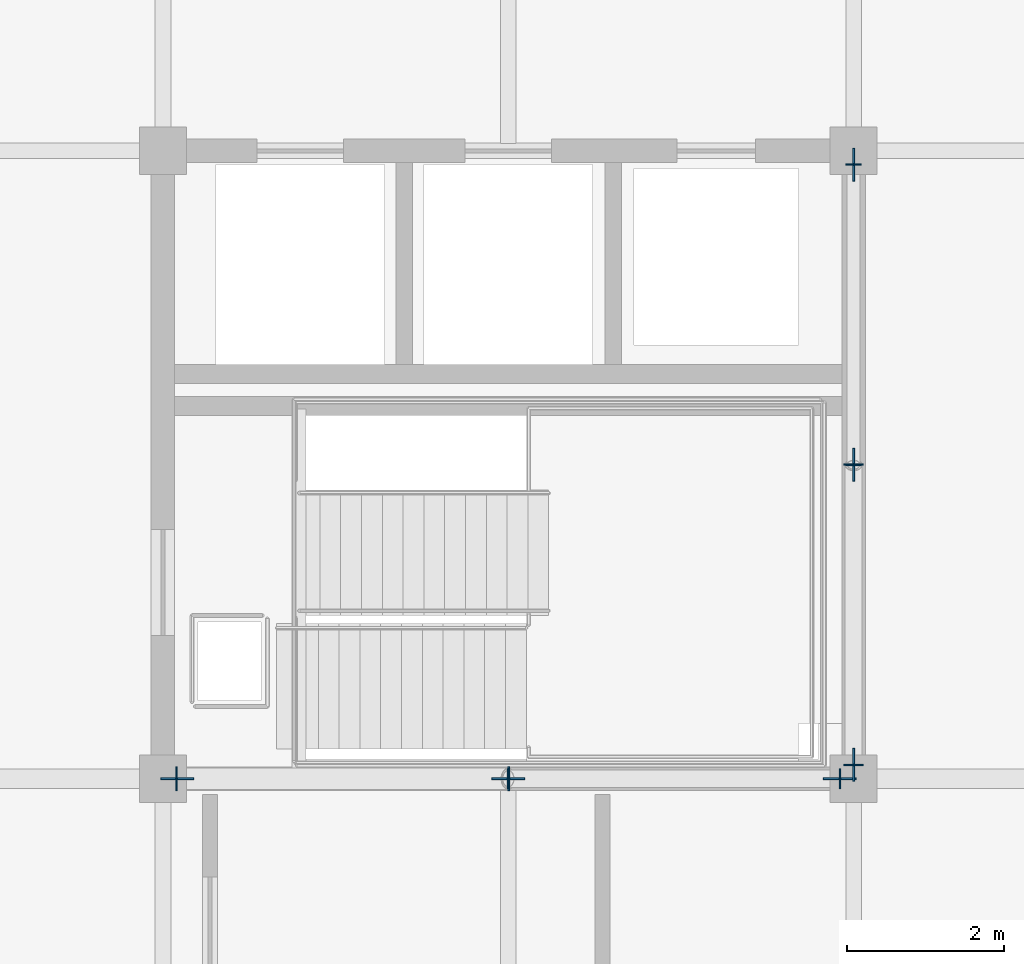
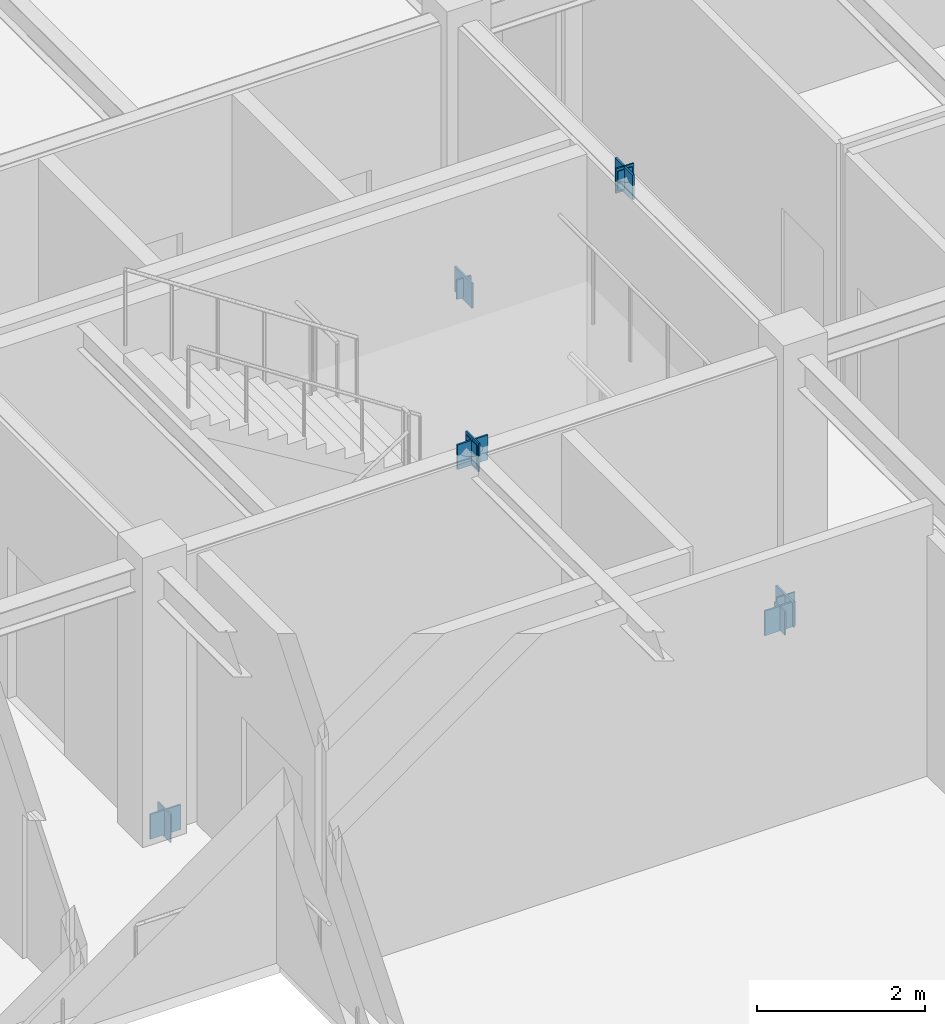
# One storey, part 3 of 13: 14 plates.
"""IFC4 building model written with IfcOpenShell, lengths in metres."""

from ifc_helpers import new_model, si_unit, direction, frame, origin, origin_2d, place, context, subcontext, project, spatial, rectangle, extrude, material, layer, layer_set, type_object, element, save


model = new_model("IFC4")

# Units and contexts
model_context = context("Model", 3, precision=1e-05, world=origin(), true_north=direction((0.0, 1.0)))
body_context = subcontext(model_context, "Body", "Model", "MODEL_VIEW")
ifc_project = project(units=[si_unit("LENGTHUNIT", "METRE"), si_unit("AREAUNIT", "SQUARE_METRE"), si_unit("VOLUMEUNIT", "CUBIC_METRE"), si_unit("PLANEANGLEUNIT", "RADIAN"), si_unit("MASSUNIT", "GRAM", prefix="KILO")], contexts=[model_context])

# Site, building, storey
site_placement = place(None, origin())
site = spatial("IfcSite", under=ifc_project, at=site_placement, CompositionType="ELEMENT")
building_placement = place(site_placement, origin())
building = spatial("IfcBuilding", under=site, at=building_placement, Name="Zhaolan Boulevard Law Courts", CompositionType="ELEMENT")
storey_placement = place(building_placement, frame((0.0, 0.0, 37.199951171875)))
storey = spatial("IfcBuildingStorey", under=building, at=storey_placement, Name="L08", CompositionType="ELEMENT", Elevation=37.199951171875)

# Plates
ifc_material_1 = material(Name="Structural steel Q355B", Category="steel")
ifc_layer_1 = layer(ifc_material_1, 0.02392578125)
ifc_layer_set_1 = layer_set([ifc_layer_1])
plate_type_1 = type_object("IfcPlateType", Name="BRACE GUSSET PLATE 24", PredefinedType="SHEET", material=ifc_layer_set_1)
for number, where, z_axis, x_axis, name in (
    (1, (17.780029296875, 46.0, -0.14990234375), (0.0, 0.0, 1.0), (1.0, 0.0, 0.0), "Brace Gusset Connection Plate GP-W1-L08-SA1"),
    (2, (26.219970703125, 46.0, -0.14990234375), (0.0, 0.0, 1.0), (1.0, 0.0, 0.0), "Brace Gusset Connection Plate GP-W1-L08-SA2"),
    (3, (22.0, 46.0, 3.740234375), (0.0, 0.0, 1.0), (1.0, 0.0, 0.0), "Brace Gusset Connection Plate GP-W1-L08-SAPX"),
    (4, (26.39990234375, 46.179931640625, -0.14990234375), (0.0, 0.0, 1.0), (0.0, 1.0, 0.0), "Brace Gusset Connection Plate GP-W1-L08-EA1"),
    (5, (26.39990234375, 53.820068359375, -0.14990234375), (0.0, 0.0, 1.0), (0.0, 1.0, 0.0), "Brace Gusset Connection Plate GP-W1-L08-EA2"),
    (6, (26.39990234375, 50.0, 3.740234375), (0.0, 0.0, 1.0), (0.0, 1.0, 0.0), "Brace Gusset Connection Plate GP-W1-L08-EAPX"),
):
    element("IfcPlate", number, at=place(storey_placement, frame(where, z_axis=z_axis, x_axis=x_axis)), inside=storey, type_object=plate_type_1, Name=name, PredefinedType="SHEET", context=body_context, shape_type="SweptSolid", body=[
        extrude(rectangle(XDim=0.419921875, YDim=0.02392578125, at=origin_2d()), origin(), (0.0, 0.0, 1.0), 0.360107421875),
    ])
ifc_material_2 = material(Name="Structural steel Q355B", Category="steel")
ifc_layer_2 = layer(ifc_material_2, 0.02001953125)
ifc_layer_set_2 = layer_set([ifc_layer_2])
plate_type_2 = type_object("IfcPlateType", Name="END CAP PLATE 20", PredefinedType="SHEET", material=ifc_layer_set_2)
for number, where, z_axis, x_axis, name in (
    (7, (17.774169921875, 46.0, -0.181396484375), (0.0, 0.0, 1.0), (1.0, 0.0, 0.0), "Hollow Section End-Cap Plate ECP-1119"),
    (8, (22.005859375, 46.0, 3.719482421875), (0.0, 0.0, 1.0), (1.0, 0.0, 0.0), "Hollow Section End-Cap Plate ECP-1120"),
):
    element("IfcPlate", number, at=place(storey_placement, frame(where, z_axis=z_axis, x_axis=x_axis)), inside=storey, type_object=plate_type_2, Name=name, PredefinedType="SHEET", context=body_context, shape_type="SweptSolid", body=[
        extrude(rectangle(XDim=0.02001953125, YDim=0.302978515625, at=origin_2d()), origin(), (0.0, 0.0, 1.0), 0.412109375),
    ])
for number, where, z_axis, x_axis, name in (
    (9, (26.225830078125, 46.0, -0.14501953125), (0.0, 0.0, 1.0), (-1.0, 0.0, 0.0), "Hollow Section End-Cap Plate ECP-1121"),
    (10, (21.994140625, 46.0, 3.755859375), (0.0, 0.0, 1.0), (-1.0, 0.0, 0.0), "Hollow Section End-Cap Plate ECP-1122"),
):
    element("IfcPlate", number, at=place(storey_placement, frame(where, z_axis=z_axis, x_axis=x_axis)), inside=storey, type_object=plate_type_2, Name=name, PredefinedType="SHEET", context=body_context, shape_type="SweptSolid", body=[
        extrude(rectangle(XDim=0.02001953125, YDim=0.2490234375, at=origin_2d()), origin(), (0.0, 0.0, 1.0), 0.339111328125),
    ])
for number, where, z_axis, x_axis, name in (
    (11, (26.39990234375, 46.17431640625, -0.153076171875), (0.0, 0.0, 1.0), (0.0, 1.0, 0.0), "Hollow Section End-Cap Plate ECP-1123"),
    (12, (26.39990234375, 50.005615234375, 3.748291015625), (0.0, 0.0, 1.0), (0.0, 1.0, 0.0), "Hollow Section End-Cap Plate ECP-1124"),
):
    element("IfcPlate", number, at=place(storey_placement, frame(where, z_axis=z_axis, x_axis=x_axis)), inside=storey, type_object=plate_type_2, Name=name, PredefinedType="SHEET", context=body_context, shape_type="SweptSolid", body=[
        extrude(rectangle(XDim=0.02001953125, YDim=0.2490234375, at=origin_2d()), origin(), (0.0, 0.0, 1.0), 0.35498046875),
    ])
for number, where, z_axis, x_axis, name in (
    (13, (26.39990234375, 53.82568359375, -0.1171875), (0.0, 0.0, 1.0), (0.0, -1.0, 0.0), "Hollow Section End-Cap Plate ECP-1125"),
    (14, (26.39990234375, 49.994384765625, 3.7841796875), (0.0, 0.0, 1.0), (0.0, -1.0, 0.0), "Hollow Section End-Cap Plate ECP-1126"),
):
    element("IfcPlate", number, at=place(storey_placement, frame(where, z_axis=z_axis, x_axis=x_axis)), inside=storey, type_object=plate_type_2, Name=name, PredefinedType="SHEET", context=body_context, shape_type="SweptSolid", body=[
        extrude(rectangle(XDim=0.02001953125, YDim=0.197998046875, at=origin_2d()), origin(), (0.0, 0.0, 1.0), 0.282958984375),
    ])

save(model, "model.ifc")
